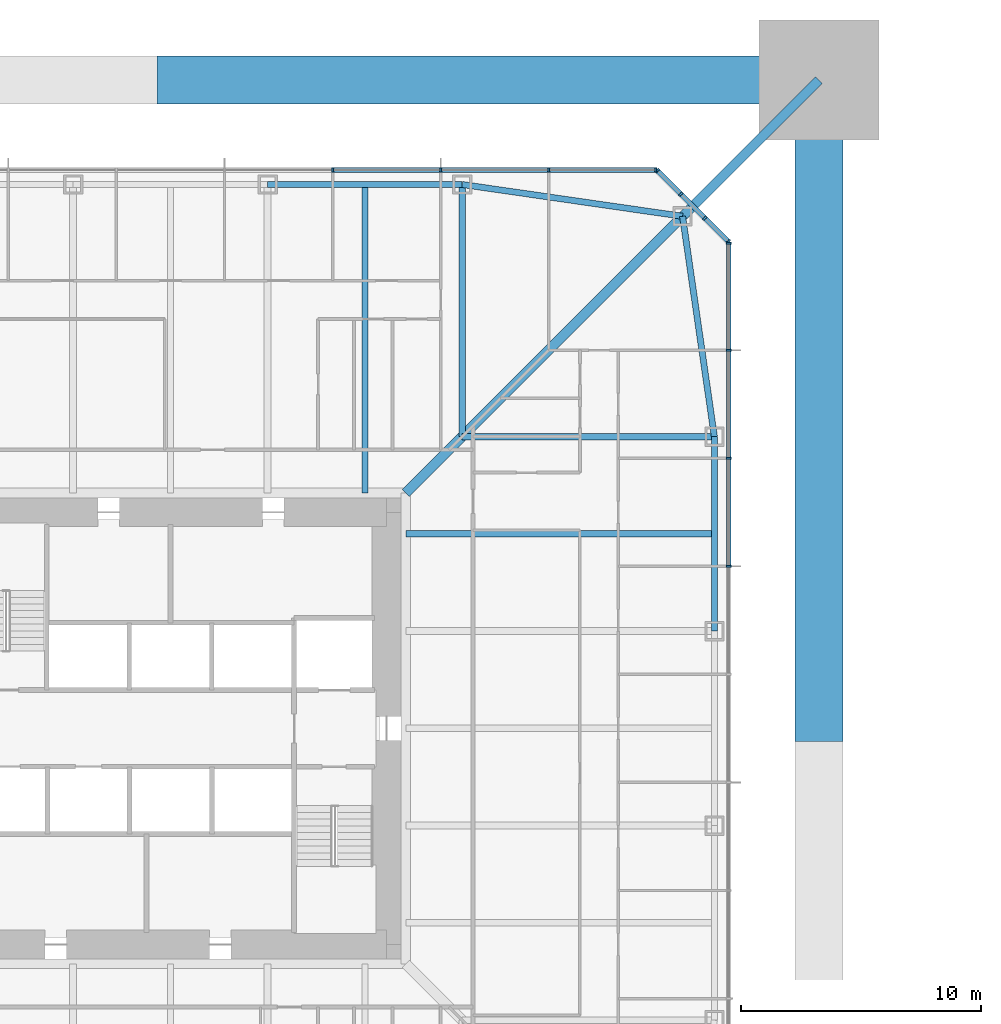
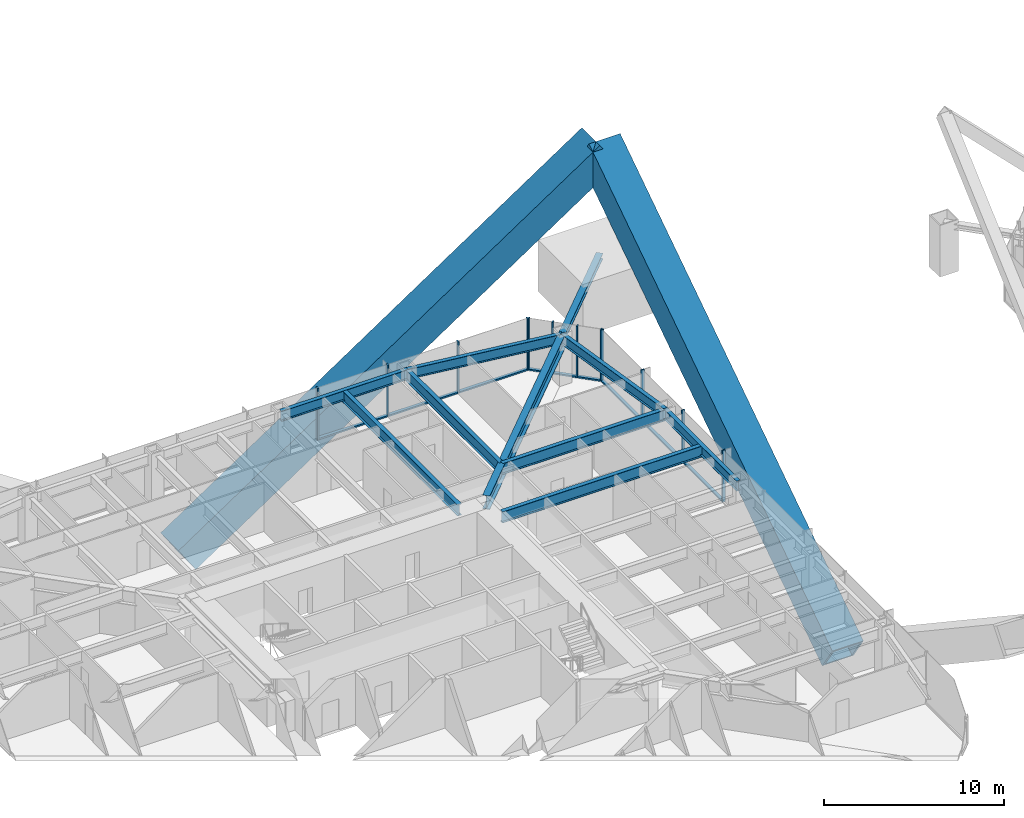
# One storey, part 8 of 27: 24 members, 9 beams, 3 elements without a shape of their own.
"""IFC4 building model written with IfcOpenShell, lengths in metres."""

from ifc_helpers import new_model, si_unit, direction, frame, origin, origin_2d, place, context, subcontext, project, spatial, rectangle, hollow_rectangle, i_section, extrude, material, material_profile, profile_set, type_object, element, aggregate, save


model = new_model("IFC4")

# Units and contexts
model_context = context("Model", 3, precision=1e-05, world=origin(), true_north=direction((0.0, 1.0)))
body_context = subcontext(model_context, "Body", "Model", "MODEL_VIEW")
ifc_project = project(units=[si_unit("LENGTHUNIT", "METRE"), si_unit("AREAUNIT", "SQUARE_METRE"), si_unit("VOLUMEUNIT", "CUBIC_METRE"), si_unit("PLANEANGLEUNIT", "RADIAN"), si_unit("MASSUNIT", "GRAM", prefix="KILO")], contexts=[model_context])

# Site, building, storey
site_placement = place(None, origin())
site = spatial("IfcSite", under=ifc_project, at=site_placement, CompositionType="ELEMENT")
building_placement = place(site_placement, origin())
building = spatial("IfcBuilding", under=site, at=building_placement, Name="Iwan Alto Co-Living Towers", CompositionType="ELEMENT")
storey_placement = place(building_placement, frame((0.0, 0.0, 25.5)))
storey = spatial("IfcBuildingStorey", under=building, at=storey_placement, Name="L06", CompositionType="ELEMENT", Elevation=25.5)

# Curtain wall, members
ifc_material_1 = material(Name="Bronze aluminium unitised frame", Category="aluminium")
curtain_wall_type_1 = type_object("IfcCurtainWallType", Name="CURTAIN WALL CW-A", PredefinedType="NOTDEFINED", material=ifc_material_1)
curtain_wall_1_placement = place(storey_placement, origin())
curtain_wall_1 = element("IfcCurtainWall", 1, at=curtain_wall_1_placement, inside=storey, type_object=curtain_wall_type_1, Name="T1 curtain wall E L06", PredefinedType="NOTDEFINED")
ifc_material_2 = material(Name="Aluminium 6063-T6 bronze anodised", Category="aluminium")
ifc_material_profile_1 = material_profile(ifc_material_2, rectangle(XDim=0.199951171875, YDim=0.080078125, at=origin_2d()), Name="AL 80X200")
ifc_profile_set_1 = profile_set([ifc_material_profile_1], Name="Aluminium 6063-T6 bronze anodised")
member_type_1 = type_object("IfcMemberType", Name="CW-A MULLION 80X200", PredefinedType="MULLION", material=ifc_profile_set_1)
member_1_placement = place(storey_placement, frame((23.25, 6.75, 0.0), z_axis=(0.0, 0.0, 1.0), x_axis=(-1.0, 0.0, 0.0)))
member_1 = element("IfcMember", 2, at=member_1_placement, type_object=member_type_1, Name="CW-A mullion 7", PredefinedType="MULLION", context=body_context, shape_type="SweptSolid", body=[
    extrude(rectangle(XDim=0.199951171875, YDim=0.080078125, at=origin_2d()), origin(), (0.0, 0.0, 1.0), 3.5),
])
member_2_placement = place(storey_placement, frame((23.25, 11.25, 0.0), z_axis=(0.0, 0.0, 1.0), x_axis=(-1.0, 0.0, 0.0)))
member_2 = element("IfcMember", 3, at=member_2_placement, type_object=member_type_1, Name="CW-A mullion 8", PredefinedType="MULLION", context=body_context, shape_type="SweptSolid", body=[
    extrude(rectangle(XDim=0.199951171875, YDim=0.080078125, at=origin_2d()), origin(), (0.0, 0.0, 1.0), 3.5),
])
member_3_placement = place(storey_placement, frame((23.25, 15.75, 0.0), z_axis=(0.0, 0.0, 1.0), x_axis=(-1.0, 0.0, 0.0)))
member_3 = element("IfcMember", 4, at=member_3_placement, type_object=member_type_1, Name="CW-A mullion 9", PredefinedType="MULLION", context=body_context, shape_type="SweptSolid", body=[
    extrude(rectangle(XDim=0.199951171875, YDim=0.080078125, at=origin_2d()), origin(), (0.0, 0.0, 1.0), 3.5),
])
member_4_placement = place(storey_placement, frame((23.25, 20.2099609375, 0.0), z_axis=(0.0, 0.0, 1.0), x_axis=(-1.0, 0.0, 0.0)))
member_4 = element("IfcMember", 5, at=member_4_placement, type_object=member_type_1, Name="CW-A mullion 10", PredefinedType="MULLION", context=body_context, shape_type="SweptSolid", body=[
    extrude(rectangle(XDim=0.199951171875, YDim=0.080078125, at=origin_2d()), origin(), (0.0, 0.0, 1.0), 3.5),
])

curtain_wall_2_placement = place(storey_placement, origin())
curtain_wall_2 = element("IfcCurtainWall", 6, at=curtain_wall_2_placement, inside=storey, type_object=curtain_wall_type_1, Name="T1 curtain wall N L06", PredefinedType="NOTDEFINED")
member_5_placement = place(storey_placement, frame((20.2099609375, 23.25, 0.0), z_axis=(0.0, 0.0, 1.0), x_axis=(0.0, -1.0, 0.0)))
member_5 = element("IfcMember", 7, at=member_5_placement, type_object=member_type_1, Name="CW-A mullion 1", PredefinedType="MULLION", context=body_context, shape_type="SweptSolid", body=[
    extrude(rectangle(XDim=0.199951171875, YDim=0.080078125, at=origin_2d()), origin(), (0.0, 0.0, 1.0), 3.5),
])
member_6_placement = place(storey_placement, frame((15.75, 23.25, 0.0), z_axis=(0.0, 0.0, 1.0), x_axis=(0.0, -1.0, 0.0)))
member_6 = element("IfcMember", 8, at=member_6_placement, type_object=member_type_1, Name="CW-A mullion 2", PredefinedType="MULLION", context=body_context, shape_type="SweptSolid", body=[
    extrude(rectangle(XDim=0.199951171875, YDim=0.080078125, at=origin_2d()), origin(), (0.0, 0.0, 1.0), 3.5),
])
member_7_placement = place(storey_placement, frame((11.25, 23.25, 0.0), z_axis=(0.0, 0.0, 1.0), x_axis=(0.0, -1.0, 0.0)))
member_7 = element("IfcMember", 9, at=member_7_placement, type_object=member_type_1, Name="CW-A mullion 3", PredefinedType="MULLION", context=body_context, shape_type="SweptSolid", body=[
    extrude(rectangle(XDim=0.199951171875, YDim=0.080078125, at=origin_2d()), origin(), (0.0, 0.0, 1.0), 3.5),
])
member_8_placement = place(storey_placement, frame((6.75, 23.25, 0.0), z_axis=(0.0, 0.0, 1.0), x_axis=(0.0, -1.0, 0.0)))
member_8 = element("IfcMember", 10, at=member_8_placement, type_object=member_type_1, Name="CW-A mullion 4", PredefinedType="MULLION", context=body_context, shape_type="SweptSolid", body=[
    extrude(rectangle(XDim=0.199951171875, YDim=0.080078125, at=origin_2d()), origin(), (0.0, 0.0, 1.0), 3.5),
])

# Member
ifc_material_3 = material(Name="Aluminium 6063-T6 bronze anodised", Category="aluminium")
ifc_material_profile_2 = material_profile(ifc_material_3, rectangle(XDim=0.199951171875, YDim=0.10009765625, at=origin_2d()), Name="AL 200X100")
ifc_profile_set_2 = profile_set([ifc_material_profile_2], Name="Aluminium 6063-T6 bronze anodised")
member_type_2 = type_object("IfcMemberType", Name="CW-A TRANSOM 200X100", PredefinedType="USERDEFINED", material=ifc_profile_set_2)
member_9_placement = place(storey_placement, frame((23.25, 6.7900390625, 0.050048828125), z_axis=(0.0, 1.0, 0.0), x_axis=(-1.0, 0.0, 0.0)))
member_9 = element("IfcMember", 11, at=member_9_placement, type_object=member_type_2, Name="CW-A transom 7.1", ObjectType="TRANSOM", PredefinedType="USERDEFINED", context=body_context, shape_type="SweptSolid", body=[
    extrude(rectangle(XDim=0.199951171875, YDim=0.10009765625, at=origin_2d()), origin(), (0.0, 0.0, 1.0), 4.419921875),
])

member_10_placement = place(storey_placement, frame((23.25, 11.2900390625, 0.050048828125), z_axis=(0.0, 1.0, 0.0), x_axis=(-1.0, 0.0, 0.0)))
member_10 = element("IfcMember", 12, at=member_10_placement, type_object=member_type_2, Name="CW-A transom 8.1", ObjectType="TRANSOM", PredefinedType="USERDEFINED", context=body_context, shape_type="SweptSolid", body=[
    extrude(rectangle(XDim=0.199951171875, YDim=0.10009765625, at=origin_2d()), origin(), (0.0, 0.0, 1.0), 4.419921875),
])

member_11_placement = place(storey_placement, frame((23.25, 15.7900390625, 0.050048828125), z_axis=(0.0, 1.0, 0.0), x_axis=(-1.0, 0.0, 0.0)))
member_11 = element("IfcMember", 13, at=member_11_placement, type_object=member_type_2, Name="CW-A transom 9.1", ObjectType="TRANSOM", PredefinedType="USERDEFINED", context=body_context, shape_type="SweptSolid", body=[
    extrude(rectangle(XDim=0.199951171875, YDim=0.10009765625, at=origin_2d()), origin(), (0.0, 0.0, 1.0), 4.3798828125),
])

aggregate(curtain_wall_1, [member_1, member_2, member_3, member_4, member_9, member_10, member_11])

member_12_placement = place(storey_placement, frame((20.169921875, 23.25, 0.050048828125), z_axis=(-1.0, 0.0, 0.0), x_axis=(0.0, -1.0, 0.0)))
member_12 = element("IfcMember", 14, at=member_12_placement, type_object=member_type_2, Name="CW-A transom 1.1", ObjectType="TRANSOM", PredefinedType="USERDEFINED", context=body_context, shape_type="SweptSolid", body=[
    extrude(rectangle(XDim=0.199951171875, YDim=0.10009765625, at=origin_2d()), origin(), (0.0, 0.0, 1.0), 4.3798828125),
])

member_13_placement = place(storey_placement, frame((15.7099609375, 23.25, 0.050048828125), z_axis=(-1.0, 0.0, 0.0), x_axis=(0.0, -1.0, 0.0)))
member_13 = element("IfcMember", 15, at=member_13_placement, type_object=member_type_2, Name="CW-A transom 2.1", ObjectType="TRANSOM", PredefinedType="USERDEFINED", context=body_context, shape_type="SweptSolid", body=[
    extrude(rectangle(XDim=0.199951171875, YDim=0.10009765625, at=origin_2d()), origin(), (0.0, 0.0, 1.0), 4.419921875),
])

member_14_placement = place(storey_placement, frame((11.2099609375, 23.25, 0.050048828125), z_axis=(-1.0, 0.0, 0.0), x_axis=(0.0, -1.0, 0.0)))
member_14 = element("IfcMember", 16, at=member_14_placement, type_object=member_type_2, Name="CW-A transom 3.1", ObjectType="TRANSOM", PredefinedType="USERDEFINED", context=body_context, shape_type="SweptSolid", body=[
    extrude(rectangle(XDim=0.199951171875, YDim=0.10009765625, at=origin_2d()), origin(), (0.0, 0.0, 1.0), 4.419921875),
])

aggregate(curtain_wall_2, [member_5, member_6, member_7, member_8, member_12, member_13, member_14])

# Curtain wall, members
ifc_material_4 = material(Name="Bronze aluminium unitised frame", Category="aluminium")
curtain_wall_type_2 = type_object("IfcCurtainWallType", Name="CURTAIN WALL CW-B", PredefinedType="NOTDEFINED", material=ifc_material_4)
curtain_wall_3_placement = place(storey_placement, origin())
curtain_wall_3 = element("IfcCurtainWall", 17, at=curtain_wall_3_placement, inside=storey, type_object=curtain_wall_type_2, Name="T1 chamfer curtain wall NE L06", PredefinedType="NOTDEFINED")
ifc_material_5 = material(Name="Aluminium 6063-T6 bronze anodised", Category="aluminium")
ifc_material_profile_3 = material_profile(ifc_material_5, rectangle(XDim=0.199951171875, YDim=0.080078125, at=origin_2d()), Name="AL 80X200")
ifc_profile_set_3 = profile_set([ifc_material_profile_3], Name="Aluminium 6063-T6 bronze anodised")
member_type_3 = type_object("IfcMemberType", Name="CW-B MULLION 80X200", PredefinedType="MULLION", material=ifc_profile_set_3)
member_15_placement = place(storey_placement, frame((23.2216796875, 20.2783203125, 0.0), z_axis=(0.0, 0.0, 1.0), x_axis=(-0.707106781187, -0.707106781187, 0.0)))
member_15 = element("IfcMember", 18, at=member_15_placement, type_object=member_type_3, Name="CW-B mullion 1", PredefinedType="MULLION", context=body_context, shape_type="SweptSolid", body=[
    extrude(rectangle(XDim=0.199951171875, YDim=0.080078125, at=origin_2d()), origin(), (0.0, 0.0, 1.0), 3.5),
])
member_16_placement = place(storey_placement, frame((22.25, 21.25, 0.0), z_axis=(0.0, 0.0, 1.0), x_axis=(-0.707106781187, -0.707106781187, 0.0)))
member_16 = element("IfcMember", 19, at=member_16_placement, type_object=member_type_3, Name="CW-B mullion 2", PredefinedType="MULLION", context=body_context, shape_type="SweptSolid", body=[
    extrude(rectangle(XDim=0.199951171875, YDim=0.080078125, at=origin_2d()), origin(), (0.0, 0.0, 1.0), 3.5),
])
member_17_placement = place(storey_placement, frame((21.25, 22.25, 0.0), z_axis=(0.0, 0.0, 1.0), x_axis=(-0.707106781187, -0.707106781187, 0.0)))
member_17 = element("IfcMember", 20, at=member_17_placement, type_object=member_type_3, Name="CW-B mullion 3", PredefinedType="MULLION", context=body_context, shape_type="SweptSolid", body=[
    extrude(rectangle(XDim=0.199951171875, YDim=0.080078125, at=origin_2d()), origin(), (0.0, 0.0, 1.0), 3.5),
])
member_18_placement = place(storey_placement, frame((20.2783203125, 23.2216796875, 0.0), z_axis=(0.0, 0.0, 1.0), x_axis=(-0.707106781187, -0.707106781187, 0.0)))
member_18 = element("IfcMember", 21, at=member_18_placement, type_object=member_type_3, Name="CW-B mullion 4", PredefinedType="MULLION", context=body_context, shape_type="SweptSolid", body=[
    extrude(rectangle(XDim=0.199951171875, YDim=0.080078125, at=origin_2d()), origin(), (0.0, 0.0, 1.0), 3.5),
])
ifc_material_6 = material(Name="Aluminium 6063-T6 bronze anodised", Category="aluminium")
ifc_material_profile_4 = material_profile(ifc_material_6, rectangle(XDim=0.199951171875, YDim=0.10009765625, at=origin_2d()), Name="AL 200X100")
ifc_profile_set_4 = profile_set([ifc_material_profile_4], Name="Aluminium 6063-T6 bronze anodised")
member_type_4 = type_object("IfcMemberType", Name="CW-B TRANSOM 200X100", PredefinedType="USERDEFINED", material=ifc_profile_set_4)
member_19_placement = place(storey_placement, frame((23.193359375, 20.306640625, 0.050048828125), z_axis=(-0.707106781187, 0.707106781187, 0.0), x_axis=(-0.707106781187, -0.707106781187, 0.0)))
member_19 = element("IfcMember", 22, at=member_19_placement, type_object=member_type_4, Name="CW-B transom 1.1", ObjectType="TRANSOM", PredefinedType="USERDEFINED", context=body_context, shape_type="SweptSolid", body=[
    extrude(rectangle(XDim=0.199951171875, YDim=0.10009765625, at=origin_2d()), origin(), (0.0, 0.0, 1.0), 1.2939453125),
])
member_20_placement = place(storey_placement, frame((22.2216796875, 21.2783203125, 0.050048828125), z_axis=(-0.707106781187, 0.707106781187, 0.0), x_axis=(-0.707106781187, -0.707106781187, 0.0)))
member_20 = element("IfcMember", 23, at=member_20_placement, type_object=member_type_4, Name="CW-B transom 2.1", ObjectType="TRANSOM", PredefinedType="USERDEFINED", context=body_context, shape_type="SweptSolid", body=[
    extrude(rectangle(XDim=0.199951171875, YDim=0.10009765625, at=origin_2d()), origin(), (0.0, 0.0, 1.0), 1.334228515625),
])
member_21_placement = place(storey_placement, frame((21.2216796875, 22.2783203125, 0.050048828125), z_axis=(-0.707106781187, 0.707106781187, 0.0), x_axis=(-0.707106781187, -0.707106781187, 0.0)))
member_21 = element("IfcMember", 24, at=member_21_placement, type_object=member_type_4, Name="CW-B transom 3.1", ObjectType="TRANSOM", PredefinedType="USERDEFINED", context=body_context, shape_type="SweptSolid", body=[
    extrude(rectangle(XDim=0.199951171875, YDim=0.10009765625, at=origin_2d()), origin(), (0.0, 0.0, 1.0), 1.2939453125),
])
aggregate(curtain_wall_3, [member_15, member_16, member_17, member_18, member_19, member_20, member_21])

# Beams
ifc_material_7 = material(Name="Steel ASTM A992 Gr 50", Category="steel")
ifc_material_profile_5 = material_profile(ifc_material_7, i_section(OverallWidth=0.419189453125, OverallDepth=0.927001953125, WebThickness=0.019287109375, FlangeThickness=0.031982421875, at=origin_2d()), Name="W36X231")
ifc_profile_set_5 = profile_set([ifc_material_profile_5], Name="Steel ASTM A992 Gr 50")
beam_type_1 = type_object("IfcBeamType", Name="T1 CORNER GIRDER W36X231", PredefinedType="BEAM", material=ifc_profile_set_5)
beam_1_placement = place(storey_placement, frame((21.32568359375, 21.32568359375, 2.806396484375), z_axis=(-0.707106781187, -0.707106781187, 0.0), x_axis=(0.707106781187, -0.707106781187, 0.0)))
element("IfcBeam", 25, at=beam_1_placement, inside=storey, type_object=beam_type_1, Name="T1 corner girder CNE L07", PredefinedType="BEAM", context=body_context, shape_type="SweptSolid", body=[
    extrude(i_section(OverallWidth=0.419189453125, OverallDepth=0.927001953125, WebThickness=0.019287109375, FlangeThickness=0.031982421875, at=origin_2d()), origin(), (0.0, 0.0, 1.0), 16.296875),
])
ifc_material_8 = material(Name="Steel ASTM A992 Gr 50", Category="steel")
ifc_material_profile_6 = material_profile(ifc_material_8, i_section(OverallWidth=0.25390625, OverallDepth=0.683349609375, WebThickness=0.012451171875, FlangeThickness=0.018798828125, at=origin_2d()), Name="W27X94")
ifc_profile_set_6 = profile_set([ifc_material_profile_6], Name="Steel ASTM A992 Gr 50")
beam_type_2 = type_object("IfcBeamType", Name="T1 EDGE BEAM W27X94", PredefinedType="BEAM", material=ifc_profile_set_6)
beam_2_placement = place(storey_placement, frame((22.64990234375, 4.050048828125, 2.928466796875), z_axis=(0.0, 1.0, 0.0), x_axis=(-1.0, 0.0, 0.0)))
element("IfcBeam", 26, at=beam_2_placement, inside=storey, type_object=beam_type_2, Name="T1 edge beam E3 L07", PredefinedType="BEAM", context=body_context, shape_type="SweptSolid", body=[
    extrude(i_section(OverallWidth=0.25390625, OverallDepth=0.683349609375, WebThickness=0.012451171875, FlangeThickness=0.018798828125, at=origin_2d()), origin(), (0.0, 0.0, 1.0), 8.099853515625),
])
for number, where, z_axis, x_axis, name in (
    (27, (22.64990234375, 12.14990234375, 2.928466796875), (-0.142836940589, 0.989746234347, 0.0), (-0.989746234347, -0.142836940589, 0.0), "T1 edge beam E4 L07"),
    (28, (21.32568359375, 21.32568359375, 2.928466796875), (-0.989746234347, 0.142836940589, 0.0), (-0.142836940589, -0.989746234347, 0.0), "T1 edge beam CNE L07"),
):
    element("IfcBeam", number, at=place(storey_placement, frame(where, z_axis=z_axis, x_axis=x_axis)), inside=storey, type_object=beam_type_2, Name=name, PredefinedType="BEAM", context=body_context, shape_type="SweptSolid", body=[
        extrude(i_section(OverallWidth=0.25390625, OverallDepth=0.683349609375, WebThickness=0.012451171875, FlangeThickness=0.018798828125, at=origin_2d()), origin(), (0.0, 0.0, 1.0), 9.270751953125),
    ])
beam_3_placement = place(storey_placement, frame((12.14990234375, 22.64990234375, 2.928466796875), z_axis=(-1.0, 0.0, 0.0), x_axis=(0.0, -1.0, 0.0)))
element("IfcBeam", 29, at=beam_3_placement, inside=storey, type_object=beam_type_2, Name="T1 edge beam N1 L07", PredefinedType="BEAM", context=body_context, shape_type="SweptSolid", body=[
    extrude(i_section(OverallWidth=0.25390625, OverallDepth=0.683349609375, WebThickness=0.012451171875, FlangeThickness=0.018798828125, at=origin_2d()), origin(), (0.0, 0.0, 1.0), 8.099853515625),
])

# Members
ifc_material_9 = material(Name="Steel ASTM A572 Gr 42", Category="steel")
ifc_material_profile_7 = material_profile(ifc_material_9, hollow_rectangle(XDim=2.0, YDim=2.0, WallThickness=0.139892578125, at=origin_2d()), Name="BOX 2000X2000X140")
ifc_profile_set_7 = profile_set([ifc_material_profile_7], Name="Steel ASTM A572 Gr 42")
member_type_5 = type_object("IfcMemberType", Name="T1 MEGA BRACE BOX 2000X2000X140", PredefinedType="BRACE", material=ifc_profile_set_7)
for number, where, z_axis, x_axis, name in (
    (30, (27.0, 0.0, -7.5), (0.0, 0.832050294338, 0.554700196225), (-1.0, 0.0, 0.0), "T1 mega brace Z1A E 1 upper"),
    (31, (0.0, 27.0, -7.5), (0.832050294338, 0.0, 0.554700196225), (0.0, 1.0, 0.0), "T1 mega brace Z1A N 2 upper"),
):
    element("IfcMember", number, at=place(storey_placement, frame(where, z_axis=z_axis, x_axis=x_axis)), inside=storey, type_object=member_type_5, Name=name, PredefinedType="BRACE", context=body_context, shape_type="SweptSolid", body=[
        extrude(hollow_rectangle(XDim=2.0, YDim=2.0, WallThickness=0.139892578125, at=origin_2d()), origin(), (0.0, 0.0, 1.0), 32.449951171875),
    ])
ifc_material_10 = material(Name="Steel ASTM A992 Gr 50", Category="steel")
ifc_material_profile_8 = material_profile(ifc_material_10, i_section(OverallWidth=0.393798828125, OverallDepth=0.3759765625, WebThickness=0.017333984375, FlangeThickness=0.027587890625, at=origin_2d()), Name="W14X145")
ifc_profile_set_8 = profile_set([ifc_material_profile_8], Name="Steel ASTM A992 Gr 50")
member_type_6 = type_object("IfcMemberType", Name="T1 MEGA COLUMN FLOOR TIE W14X145", PredefinedType="STRUT", material=ifc_profile_set_8)
member_22_placement = place(storey_placement, frame((27.0, 27.0, 3.08203125), z_axis=(-0.707106781187, -0.707106781187, 0.0), x_axis=(0.707106781187, -0.707106781187, 0.0)))
element("IfcMember", 32, at=member_22_placement, inside=storey, type_object=member_type_6, Name="T1 mega column floor tie NE L07", PredefinedType="STRUT", context=body_context, shape_type="SweptSolid", body=[
    extrude(i_section(OverallWidth=0.393798828125, OverallDepth=0.3759765625, WebThickness=0.017333984375, FlangeThickness=0.027587890625, at=origin_2d()), origin(), (0.0, 0.0, 1.0), 8.024658203125),
])

# Beams
ifc_material_11 = material(Name="Steel ASTM A992 Gr 50", Category="steel")
ifc_material_profile_9 = material_profile(ifc_material_11, i_section(OverallWidth=0.2666015625, OverallDepth=0.761962890625, WebThickness=0.014404296875, FlangeThickness=0.021484375, at=origin_2d()), Name="W30X116")
ifc_profile_set_9 = profile_set([ifc_material_profile_9], Name="Steel ASTM A992 Gr 50")
beam_type_3 = type_object("IfcBeamType", Name="T1 RADIAL BEAM W30X116", PredefinedType="BEAM", material=ifc_profile_set_9)
for number, where, z_axis, x_axis, name in (
    (33, (22.64990234375, 12.14990234375, 2.888916015625), (-1.0, 0.0, 0.0), (0.0, -1.0, 0.0), "T1 radial beam E4 L07"),
    (34, (12.14990234375, 22.64990234375, 2.888916015625), (0.0, -1.0, 0.0), (1.0, 0.0, 0.0), "T1 radial beam N1 L07"),
):
    element("IfcBeam", number, at=place(storey_placement, frame(where, z_axis=z_axis, x_axis=x_axis)), inside=storey, type_object=beam_type_3, Name=name, PredefinedType="BEAM", context=body_context, shape_type="SweptSolid", body=[
        extrude(i_section(OverallWidth=0.2666015625, OverallDepth=0.761962890625, WebThickness=0.014404296875, FlangeThickness=0.021484375, at=origin_2d()), origin(), (0.0, 0.0, 1.0), 10.5),
    ])
ifc_material_12 = material(Name="Steel ASTM A992 Gr 50", Category="steel")
ifc_material_profile_10 = material_profile(ifc_material_12, i_section(OverallWidth=0.2666015625, OverallDepth=0.761962890625, WebThickness=0.014404296875, FlangeThickness=0.021484375, at=origin_2d()), Name="W30X116")
ifc_profile_set_10 = profile_set([ifc_material_profile_10], Name="Steel ASTM A992 Gr 50")
beam_type_4 = type_object("IfcBeamType", Name="T1 SECONDARY BEAM W30X116", PredefinedType="JOIST", material=ifc_profile_set_10)
for number, where, z_axis, x_axis, name in (
    (35, (22.64990234375, 8.10009765625, 2.888916015625), (-1.0, 0.0, 0.0), (0.0, -1.0, 0.0), "T1 secondary beam E3 L07"),
    (36, (8.10009765625, 22.64990234375, 2.888916015625), (0.0, -1.0, 0.0), (1.0, 0.0, 0.0), "T1 secondary beam N1 L07"),
):
    element("IfcBeam", number, at=place(storey_placement, frame(where, z_axis=z_axis, x_axis=x_axis)), inside=storey, type_object=beam_type_4, Name=name, PredefinedType="JOIST", context=body_context, shape_type="SweptSolid", body=[
        extrude(i_section(OverallWidth=0.2666015625, OverallDepth=0.761962890625, WebThickness=0.014404296875, FlangeThickness=0.021484375, at=origin_2d()), origin(), (0.0, 0.0, 1.0), 12.847900390625),
    ])

save(model, "model.ifc")
